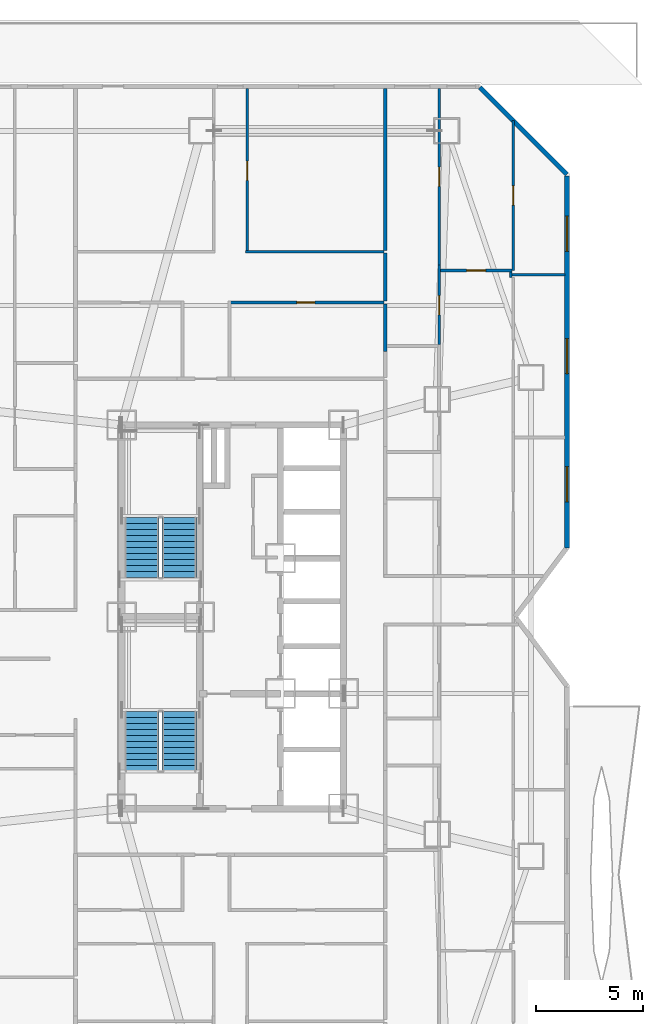
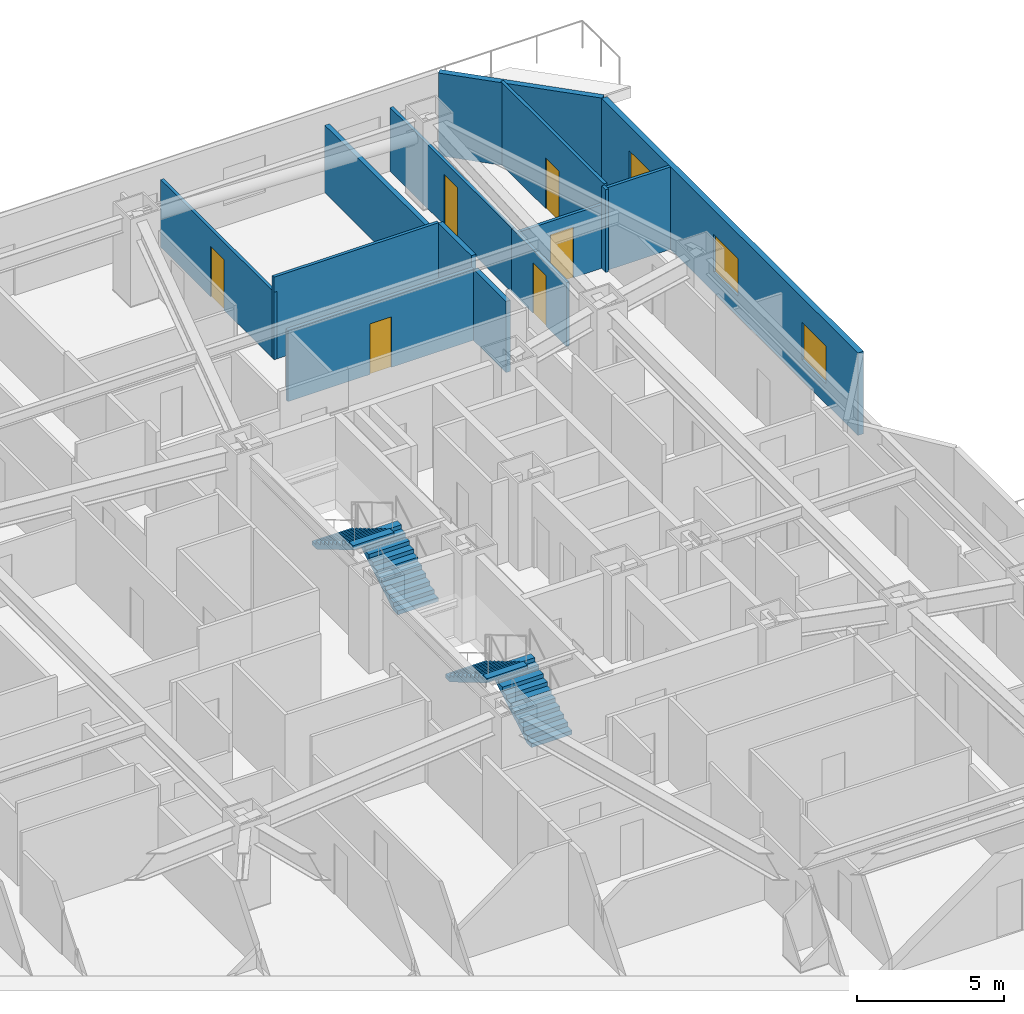
# One storey, part 15 of 18: 14 walls, 6 doors, 4 stair flights, 3 windows, 9 openings, 2 elements without a shape of their own.
"""IFC4 building model written with IfcOpenShell, lengths in metres."""

from ifc_helpers import new_model, si_unit, direction, frame, frame_2d, origin, place, context, subcontext, project, spatial, polyline, rectangle, outline, extrude, material, layer, layer_set, type_object, element, fill, aggregate, save


model = new_model("IFC4")

# Units and contexts
model_context = context("Model", 3, precision=1e-05, world=origin(), true_north=direction((0.0, 1.0)))
body_context = subcontext(model_context, "Body", "Model", "MODEL_VIEW")
ifc_project = project(units=[si_unit("LENGTHUNIT", "METRE"), si_unit("AREAUNIT", "SQUARE_METRE"), si_unit("VOLUMEUNIT", "CUBIC_METRE"), si_unit("PLANEANGLEUNIT", "RADIAN"), si_unit("MASSUNIT", "GRAM", prefix="KILO")], contexts=[model_context])

# Site, building, storey
site_placement = place(None, origin())
site = spatial("IfcSite", under=ifc_project, at=site_placement, CompositionType="ELEMENT")
building_placement = place(site_placement, origin())
building = spatial("IfcBuilding", under=site, at=building_placement, Name="Khamvora Tower", CompositionType="ELEMENT")
storey_placement = place(building_placement, frame((0.0, 0.0, 33.300048828125)))
storey = spatial("IfcBuildingStorey", under=building, at=storey_placement, Name="L07", CompositionType="ELEMENT", Elevation=33.300048828125)

# Walls
ifc_material_1 = material(Name="Acoustic Double-Stud Fire Wall", Category="gypsum")
ifc_layer_1 = layer(ifc_material_1, 0.179931640625)
ifc_layer_set_1 = layer_set([ifc_layer_1], Name="Acoustic Double-Stud Fire Wall")
wall_type_1 = type_object("IfcWallType", Name="WAL-CORR-180", PredefinedType="STANDARD", material=ifc_layer_set_1)
wall_1_placement = place(storey_placement, frame((41.364990234375, 45.06005859375, 0.0), z_axis=(0.0, 0.0, 1.0), x_axis=(0.0, -1.0, 0.0)))
element("IfcWall", 1, at=wall_1_placement, inside=storey, type_object=wall_type_1, Name="L07 interior partition wall 130", PredefinedType="STANDARD", context=body_context, shape_type="SweptSolid", body=[
    extrude(rectangle(XDim=2.25, YDim=0.179931640625, at=frame_2d((1.125, 0.0))), origin(), (0.0, 0.0, 1.0), 3.429931640625),
])
wall_2_placement = place(storey_placement, frame((41.364990234375, 42.679931640625, 0.0), z_axis=(0.0, 0.0, 1.0), x_axis=(0.0, -1.0, 0.0)))
element("IfcWall", 2, at=wall_2_placement, inside=storey, type_object=wall_type_1, Name="L07 interior partition wall 131", PredefinedType="STANDARD", context=body_context, shape_type="SweptSolid", body=[
    extrude(rectangle(XDim=2.222900390625, YDim=0.179931640625, at=frame_2d((1.111328125, 0.0))), origin(), (0.0, 0.0, 1.0), 2.95703125),
])
wall_3_placement = place(storey_placement, frame((41.364990234375, 52.7880859375, 0.0), z_axis=(0.0, 0.0, 1.0), x_axis=(0.0, -1.0, 0.0)))
element("IfcWall", 3, at=wall_3_placement, inside=storey, type_object=wall_type_1, Name="L07 interior partition wall 133", PredefinedType="STANDARD", context=body_context, shape_type="SweptSolid", body=[
    extrude(rectangle(XDim=7.59814453125, YDim=0.179931640625, at=frame_2d((3.799072265625, 0.0))), origin(), (0.0, 0.0, 1.0), 2.802978515625),
])
ifc_material_2 = material(Name="Precast concrete C40/50", Category="concrete")
ifc_layer_2 = layer(ifc_material_2, 0.219970703125)
ifc_layer_set_2 = layer_set([ifc_layer_2], Name="Precast concrete C40/50")
wall_type_2 = type_object("IfcWallType", Name="WAL-EXT-220", PredefinedType="STANDARD", material=ifc_layer_set_2)
wall_4_placement = place(storey_placement, frame((45.802001953125, 52.842041015625, 0.0), z_axis=(0.0, 0.0, 1.0), x_axis=(0.707085666273, -0.70712789547, 0.0)))
element("IfcWall", 4, at=wall_4_placement, inside=storey, type_object=wall_type_2, Name="L07 exterior facade wall 08.1", PredefinedType="STANDARD", context=body_context, shape_type="SweptSolid", body=[
    extrude(rectangle(XDim=5.78125, YDim=0.219970703125, at=frame_2d((2.890625, 0.0))), origin(), (0.0, 0.0, 1.0), 3.429931640625),
])

# Wall, openings, windows
wall_5_placement = place(storey_placement, frame((49.889892578125, 48.68310546875, 0.0), z_axis=(0.0, 0.0, 1.0), x_axis=(0.0, -1.0, 0.0)))
wall_5 = element("IfcWall", 5, at=wall_5_placement, inside=storey, type_object=wall_type_2, Name="L07 exterior facade wall 09.1", PredefinedType="STANDARD", context=body_context, shape_type="SweptSolid", body=[
    extrude(rectangle(XDim=17.446044921875, YDim=0.219970703125, at=frame_2d((8.72314453125, 0.0))), origin(), (0.0, 0.0, 1.0), 3.429931640625),
])
opening_1_placement = place(wall_5_placement, frame((13.639892578125, 0.0, 0.85009765625)))
opening_1 = element("IfcOpeningElement", 6, at=opening_1_placement, cuts=wall_5, Name="Opening WN-06", PredefinedType="OPENING", context=body_context, shape_type="SweptSolid", body=[
    extrude(rectangle(XDim=1.64990234375, YDim=1.550048828125, at=frame_2d((0.824951171875, 0.77490234375))), frame((0.0, 0.119873046875, 0.0), z_axis=(0.0, -1.0, 0.0), x_axis=(1.0, 0.0, 0.0)), (0.0, 0.0, 1.0), 0.239990234375),
])
opening_2_placement = place(wall_5_placement, frame((7.6259765625, 0.0, 0.85009765625)))
opening_2 = element("IfcOpeningElement", 7, at=opening_2_placement, cuts=wall_5, Name="Opening WN-06", PredefinedType="OPENING", context=body_context, shape_type="SweptSolid", body=[
    extrude(rectangle(XDim=1.64990234375, YDim=1.550048828125, at=frame_2d((0.824951171875, 0.77490234375))), frame((0.0, 0.119873046875, 0.0), z_axis=(0.0, -1.0, 0.0), x_axis=(1.0, 0.0, 0.0)), (0.0, 0.0, 1.0), 0.239990234375),
])
opening_3_placement = place(wall_5_placement, frame((1.884033203125, 0.0, 0.85009765625)))
opening_3 = element("IfcOpeningElement", 8, at=opening_3_placement, cuts=wall_5, Name="Opening WN-06", PredefinedType="OPENING", context=body_context, shape_type="SweptSolid", body=[
    extrude(rectangle(XDim=1.64990234375, YDim=1.550048828125, at=frame_2d((0.824951171875, 0.77490234375))), frame((0.0, 0.119873046875, 0.0), z_axis=(0.0, -1.0, 0.0), x_axis=(1.0, 0.0, 0.0)), (0.0, 0.0, 1.0), 0.239990234375),
])
ifc_material_3 = material(Name="Low-E Laminated Double Glazing", Category="glass")
window_type = type_object("IfcWindowType", Name="WIN-VIS-1650x1550", PartitioningType="SINGLE_PANEL", PredefinedType="WINDOW", material=ifc_material_3)
window_1_placement = place(opening_1_placement, origin())
window_1 = element("IfcWindow", 9, at=window_1_placement, inside=storey, type_object=window_type, Name="L07 vision window 09.1.01", OverallHeight=1.550048828125, OverallWidth=1.64990234375, PartitioningType="SINGLE_PANEL", PredefinedType="WINDOW", context=body_context, shape_type="SweptSolid", body=[
    extrude(rectangle(XDim=1.64990234375, YDim=1.550048828125, at=frame_2d((0.824951171875, 0.77490234375))), frame((0.0, 0.030029296875, 0.0), z_axis=(0.0, -1.0, 0.0), x_axis=(1.0, 0.0, 0.0)), (0.0, 0.0, 1.0), 0.06005859375),
])
fill(opening_1, window_1)
window_2_placement = place(opening_2_placement, origin())
window_2 = element("IfcWindow", 10, at=window_2_placement, inside=storey, type_object=window_type, Name="L07 vision window 09.1.02", OverallHeight=1.550048828125, OverallWidth=1.64990234375, PartitioningType="SINGLE_PANEL", PredefinedType="WINDOW", context=body_context, shape_type="SweptSolid", body=[
    extrude(rectangle(XDim=1.64990234375, YDim=1.550048828125, at=frame_2d((0.824951171875, 0.77490234375))), frame((0.0, 0.030029296875, 0.0), z_axis=(0.0, -1.0, 0.0), x_axis=(1.0, 0.0, 0.0)), (0.0, 0.0, 1.0), 0.06005859375),
])
fill(opening_2, window_2)
window_3_placement = place(opening_3_placement, origin())
window_3 = element("IfcWindow", 11, at=window_3_placement, inside=storey, type_object=window_type, Name="L07 vision window 09.1.03", OverallHeight=1.550048828125, OverallWidth=1.64990234375, PartitioningType="SINGLE_PANEL", PredefinedType="WINDOW", context=body_context, shape_type="SweptSolid", body=[
    extrude(rectangle(XDim=1.64990234375, YDim=1.550048828125, at=frame_2d((0.824951171875, 0.77490234375))), frame((0.0, 0.030029296875, 0.0), z_axis=(0.0, -1.0, 0.0), x_axis=(1.0, 0.0, 0.0)), (0.0, 0.0, 1.0), 0.06005859375),
])
fill(opening_3, window_3)

# Wall, opening, door
ifc_material_4 = material(Name="Gypsum Plasterboard Partition", Category="gypsum")
ifc_layer_3 = layer(ifc_material_4, 0.1201171875)
ifc_layer_set_3 = layer_set([ifc_layer_3], Name="Gypsum Plasterboard Partition")
wall_type_3 = type_object("IfcWallType", Name="WAL-PART-120", PredefinedType="PARTITIONING", material=ifc_layer_set_3)
wall_6_placement = place(storey_placement, frame((34.885009765625, 52.7880859375, 0.0), z_axis=(0.0, 0.0, 1.0), x_axis=(0.0, -1.0, 0.0)))
wall_6 = element("IfcWall", 12, at=wall_6_placement, inside=storey, type_object=wall_type_3, Name="L07 interior partition wall 128", PredefinedType="PARTITIONING", context=body_context, shape_type="SweptSolid", body=[
    extrude(rectangle(XDim=7.72802734375, YDim=0.1201171875, at=frame_2d((3.864013671875, 0.0))), origin(), (0.0, 0.0, 1.0), 2.802978515625),
])
opening_4_placement = place(wall_6_placement, frame((3.4140625, 0.0, 0.0)))
opening_4 = element("IfcOpeningElement", 13, at=opening_4_placement, cuts=wall_6, Name="Opening D-RM1", PredefinedType="OPENING", context=body_context, shape_type="SweptSolid", body=[
    extrude(rectangle(XDim=0.89990234375, YDim=2.10009765625, at=frame_2d((0.449951171875, 1.050048828125))), frame((0.0, 0.070068359375, 0.0), z_axis=(0.0, -1.0, 0.0), x_axis=(1.0, 0.0, 0.0)), (0.0, 0.0, 1.0), 0.14013671875),
])
ifc_material_5 = material(Name="Powder-Coated Steel and Hardwood Leaf", Category="steel")
door_type_1 = type_object("IfcDoorType", Name="DOR-ROOM-900", OperationType="NOTDEFINED", PredefinedType="DOOR", material=ifc_material_5)
door_1_placement = place(opening_4_placement, origin())
door_1 = element("IfcDoor", 14, at=door_1_placement, inside=storey, type_object=door_type_1, Name="L07 interior door 07NAH-07NAR2", OperationType="SINGLE_SWING_RIGHT", OverallHeight=2.10009765625, OverallWidth=0.89990234375, PredefinedType="DOOR", context=body_context, shape_type="SweptSolid", body=[
    extrude(rectangle(XDim=0.89990234375, YDim=2.10009765625, at=frame_2d((0.449951171875, 1.050048828125))), frame((0.0, 0.02490234375, 0.0), z_axis=(0.0, -1.0, 0.0), x_axis=(1.0, 0.0, 0.0)), (0.0, 0.0, 1.0), 0.050048828125),
])
fill(opening_4, door_1)

# Wall
wall_7_placement = place(storey_placement, frame((34.820068359375, 45.125, 0.0), z_axis=(0.0, 0.0, 1.0), x_axis=(1.0, 0.0, 0.0)))
element("IfcWall", 15, at=wall_7_placement, inside=storey, type_object=wall_type_3, Name="L07 interior partition wall 129", PredefinedType="PARTITIONING", context=body_context, shape_type="SweptSolid", body=[
    extrude(rectangle(XDim=6.47998046875, YDim=0.1201171875, at=frame_2d((3.239990234375, 0.0))), origin(), (0.0, 0.0, 1.0), 3.429931640625),
])

# Wall, opening, door
wall_8_placement = place(storey_placement, frame((43.89501953125, 44.498046875, 0.0), z_axis=(0.0, 0.0, 1.0), x_axis=(0.0, -1.0, 0.0)))
wall_8 = element("IfcWall", 16, at=wall_8_placement, inside=storey, type_object=wall_type_3, Name="L07 interior partition wall 149", PredefinedType="PARTITIONING", context=body_context, shape_type="SweptSolid", body=[
    extrude(rectangle(XDim=3.72705078125, YDim=0.1201171875, at=frame_2d((1.863525390625, 0.0))), origin(), (0.0, 0.0, 1.0), 2.64697265625),
])
opening_5_placement = place(wall_8_placement, frame((1.43408203125, 0.0, 0.0)))
opening_5 = element("IfcOpeningElement", 17, at=opening_5_placement, cuts=wall_8, Name="Opening D-RM1", PredefinedType="OPENING", context=body_context, shape_type="SweptSolid", body=[
    extrude(rectangle(XDim=0.89990234375, YDim=2.10009765625, at=frame_2d((0.449951171875, 1.050048828125))), frame((0.0, 0.070068359375, 0.0), z_axis=(0.0, -1.0, 0.0), x_axis=(1.0, 0.0, 0.0)), (0.0, 0.0, 1.0), 0.14013671875),
])
door_2_placement = place(opening_5_placement, origin())
door_2 = element("IfcDoor", 18, at=door_2_placement, inside=storey, type_object=door_type_1, Name="L07 interior door 07EBW2-07EBH", OperationType="SINGLE_SWING_LEFT", OverallHeight=2.10009765625, OverallWidth=0.89990234375, PredefinedType="DOOR", context=body_context, shape_type="SweptSolid", body=[
    extrude(rectangle(XDim=0.89990234375, YDim=2.10009765625, at=frame_2d((0.449951171875, 1.050048828125))), frame((0.0, 0.02490234375, 0.0), z_axis=(0.0, -1.0, 0.0), x_axis=(1.0, 0.0, 0.0)), (0.0, 0.0, 1.0), 0.050048828125),
])
fill(opening_5, door_2)

wall_9_placement = place(storey_placement, frame((43.89501953125, 52.7880859375, 0.0), z_axis=(0.0, 0.0, 1.0), x_axis=(0.0, -1.0, 0.0)))
wall_9 = element("IfcWall", 19, at=wall_9_placement, inside=storey, type_object=wall_type_3, Name="L07 interior partition wall 150", PredefinedType="PARTITIONING", context=body_context, shape_type="SweptSolid", body=[
    extrude(rectangle(XDim=8.2900390625, YDim=0.1201171875, at=frame_2d((4.14501953125, 0.0))), origin(), (0.0, 0.0, 1.0), 2.64697265625),
])
opening_6_placement = place(wall_9_placement, frame((3.695068359375, 0.0, 0.0)))
opening_6 = element("IfcOpeningElement", 20, at=opening_6_placement, cuts=wall_9, Name="Opening D-RM1", PredefinedType="OPENING", context=body_context, shape_type="SweptSolid", body=[
    extrude(rectangle(XDim=0.89990234375, YDim=2.10009765625, at=frame_2d((0.449951171875, 1.050048828125))), frame((0.0, 0.070068359375, 0.0), z_axis=(0.0, -1.0, 0.0), x_axis=(1.0, 0.0, 0.0)), (0.0, 0.0, 1.0), 0.14013671875),
])
door_3_placement = place(opening_6_placement, origin())
door_3 = element("IfcDoor", 21, at=door_3_placement, inside=storey, type_object=door_type_1, Name="L07 interior door 07EBW2-07EBD", OperationType="SINGLE_SWING_RIGHT", OverallHeight=2.10009765625, OverallWidth=0.89990234375, PredefinedType="DOOR", context=body_context, shape_type="SweptSolid", body=[
    extrude(rectangle(XDim=0.89990234375, YDim=2.10009765625, at=frame_2d((0.449951171875, 1.050048828125))), frame((0.0, 0.02490234375, 0.0), z_axis=(0.0, -1.0, 0.0), x_axis=(1.0, 0.0, 0.0)), (0.0, 0.0, 1.0), 0.050048828125),
])
fill(opening_6, door_3)

wall_10_placement = place(storey_placement, frame((43.948974609375, 44.2490234375, 0.0), z_axis=(0.0, 0.0, 1.0), x_axis=(1.0, 0.0, 0.0)))
wall_10 = element("IfcWall", 22, at=wall_10_placement, inside=storey, type_object=wall_type_3, Name="L07 interior partition wall 152", PredefinedType="PARTITIONING", context=body_context, shape_type="SweptSolid", body=[
    extrude(rectangle(XDim=3.361083984375, YDim=0.1201171875, at=frame_2d((1.6806640625, 0.0))), origin(), (0.0, 0.0, 1.0), 2.64697265625),
])
opening_7_placement = place(wall_10_placement, frame((1.23095703125, 0.0, 0.0)))
opening_7 = element("IfcOpeningElement", 23, at=opening_7_placement, cuts=wall_10, Name="Opening D-RM1", PredefinedType="OPENING", context=body_context, shape_type="SweptSolid", body=[
    extrude(rectangle(XDim=0.89990234375, YDim=2.10009765625, at=frame_2d((0.449951171875, 1.050048828125))), frame((0.0, 0.070068359375, 0.0), z_axis=(0.0, -1.0, 0.0), x_axis=(1.0, 0.0, 0.0)), (0.0, 0.0, 1.0), 0.14013671875),
])
door_4_placement = place(opening_7_placement, origin())
door_4 = element("IfcDoor", 24, at=door_4_placement, inside=storey, type_object=door_type_1, Name="L07 interior door 07EBH-07EBD", OperationType="SINGLE_SWING_LEFT", OverallHeight=2.10009765625, OverallWidth=0.89990234375, PredefinedType="DOOR", context=body_context, shape_type="SweptSolid", body=[
    extrude(rectangle(XDim=0.89990234375, YDim=2.10009765625, at=frame_2d((0.449951171875, 1.050048828125))), frame((0.0, 0.02490234375, 0.0), z_axis=(0.0, -1.0, 0.0), x_axis=(1.0, 0.0, 0.0)), (0.0, 0.0, 1.0), 0.050048828125),
])
fill(opening_7, door_4)

# Wall
wall_11_placement = place(storey_placement, frame((47.2451171875, 44.18408203125, 0.0), z_axis=(0.0, 0.0, 1.0), x_axis=(0.0, -1.0, 0.0)))
element("IfcWall", 25, at=wall_11_placement, inside=storey, type_object=wall_type_3, Name="L07 interior partition wall 153", PredefinedType="PARTITIONING", context=body_context, shape_type="SweptSolid", body=[
    extrude(rectangle(XDim=0.275146484375, YDim=0.1201171875, at=frame_2d((0.1376953125, 0.0))), origin(), (0.0, 0.0, 1.0), 3.429931640625),
])

# Wall, opening, door
wall_12_placement = place(storey_placement, frame((47.375, 51.278076171875, 0.0), z_axis=(0.0, 0.0, 1.0), x_axis=(0.0, -1.0, 0.0)))
wall_12 = element("IfcWall", 26, at=wall_12_placement, inside=storey, type_object=wall_type_3, Name="L07 interior partition wall 160", PredefinedType="PARTITIONING", context=body_context, shape_type="SweptSolid", body=[
    extrude(rectangle(XDim=7.029052734375, YDim=0.1201171875, at=frame_2d((3.5146484375, 0.0))), origin(), (0.0, 0.0, 1.0), 3.429931640625),
])
opening_8_placement = place(wall_12_placement, frame((3.06396484375, 0.0, 0.0)))
opening_8 = element("IfcOpeningElement", 27, at=opening_8_placement, cuts=wall_12, Name="Opening D-RM1", PredefinedType="OPENING", context=body_context, shape_type="SweptSolid", body=[
    extrude(rectangle(XDim=0.89990234375, YDim=2.10009765625, at=frame_2d((0.449951171875, 1.050048828125))), frame((0.0, 0.070068359375, 0.0), z_axis=(0.0, -1.0, 0.0), x_axis=(1.0, 0.0, 0.0)), (0.0, 0.0, 1.0), 0.14013671875),
])
door_5_placement = place(opening_8_placement, origin())
door_5 = element("IfcDoor", 28, at=door_5_placement, inside=storey, type_object=door_type_1, Name="L07 interior door 07EBD-07EBR3", OperationType="SINGLE_SWING_RIGHT", OverallHeight=2.10009765625, OverallWidth=0.89990234375, PredefinedType="DOOR", context=body_context, shape_type="SweptSolid", body=[
    extrude(rectangle(XDim=0.89990234375, YDim=2.10009765625, at=frame_2d((0.449951171875, 1.050048828125))), frame((0.0, 0.02490234375, 0.0), z_axis=(0.0, -1.0, 0.0), x_axis=(1.0, 0.0, 0.0)), (0.0, 0.0, 1.0), 0.050048828125),
])
fill(opening_8, door_5)

# Wall
wall_13_placement = place(storey_placement, frame((47.299072265625, 44.050048828125, 0.0), z_axis=(0.0, 0.0, 1.0), x_axis=(1.0, 0.0, 0.0)))
element("IfcWall", 29, at=wall_13_placement, inside=storey, type_object=wall_type_3, Name="L07 interior partition wall 162", PredefinedType="PARTITIONING", context=body_context, shape_type="SweptSolid", body=[
    extrude(rectangle(XDim=2.489013671875, YDim=0.1201171875, at=frame_2d((1.24462890625, 0.0))), origin(), (0.0, 0.0, 1.0), 3.429931640625),
])

# Wall, opening, door
ifc_material_6 = material(Name="Moisture-Resistant Plasterboard Partition", Category="gypsum")
ifc_layer_4 = layer(ifc_material_6, 0.135009765625)
ifc_layer_set_4 = layer_set([ifc_layer_4], Name="Moisture-Resistant Plasterboard Partition")
wall_type_4 = type_object("IfcWallType", Name="WAL-WET-135", PredefinedType="PARTITIONING", material=ifc_layer_set_4)
wall_14_placement = place(storey_placement, frame((41.300048828125, 42.7451171875, 0.0), z_axis=(0.0, 0.0, 1.0), x_axis=(-1.0, 0.0, 0.0)))
wall_14 = element("IfcWall", 30, at=wall_14_placement, inside=storey, type_object=wall_type_4, Name="L07 interior partition wall 124", PredefinedType="PARTITIONING", context=body_context, shape_type="SweptSolid", body=[
    extrude(rectangle(XDim=7.31494140625, YDim=0.135009765625, at=frame_2d((3.657470703125, 0.0))), origin(), (0.0, 0.0, 1.0), 2.95703125),
])
opening_9_placement = place(wall_14_placement, frame((3.23291015625, 0.0, 0.0)))
opening_9 = element("IfcOpeningElement", 31, at=opening_9_placement, cuts=wall_14, Name="Opening D-RM2", PredefinedType="OPENING", context=body_context, shape_type="SweptSolid", body=[
    extrude(rectangle(XDim=0.85009765625, YDim=2.10009765625, at=frame_2d((0.425048828125, 1.050048828125))), frame((0.0, 0.077392578125, 0.0), z_axis=(0.0, -1.0, 0.0), x_axis=(1.0, 0.0, 0.0)), (0.0, 0.0, 1.0), 0.155029296875),
])
door_type_2 = type_object("IfcDoorType", Name="DOR-ROOM-850", OperationType="NOTDEFINED", PredefinedType="DOOR", material=ifc_material_5)
door_6_placement = place(opening_9_placement, origin())
door_6 = element("IfcDoor", 32, at=door_6_placement, inside=storey, type_object=door_type_2, Name="L07 interior door 07NAH-07NAK", OperationType="SINGLE_SWING_RIGHT", OverallHeight=2.10009765625, OverallWidth=0.85009765625, PredefinedType="DOOR", context=body_context, shape_type="SweptSolid", body=[
    extrude(rectangle(XDim=0.85009765625, YDim=2.10009765625, at=frame_2d((0.425048828125, 1.050048828125))), frame((0.0, 0.02490234375, 0.0), z_axis=(0.0, -1.0, 0.0), x_axis=(1.0, 0.0, 0.0)), (0.0, 0.0, 1.0), 0.050048828125),
])
fill(opening_9, door_6)

# Stair, stair flights
ifc_material_7 = material(Name="Concrete C40/50", Category="concrete")
stair_type_1 = type_object("IfcStairType", Name="STR-ST-01", PredefinedType="HALF_TURN_STAIR", material=ifc_material_7)
stair_1_placement = place(storey_placement, origin())
stair_1 = element("IfcStair", 33, at=stair_1_placement, inside=storey, type_object=stair_type_1, Name="L07 South Tower Exit Stair ST-01", PredefinedType="HALF_TURN_STAIR")
stair_flight_type_1 = type_object("IfcStairFlightType", Name="STF-ST-01", PredefinedType="STRAIGHT", material=ifc_material_7)
stair_flight_1_placement = place(storey_placement, frame((31.699951171875, 20.75, 0.0), z_axis=(0.0, 0.0, 1.0), x_axis=(0.0, 1.0, 0.0)))
stair_flight_1 = element("IfcStairFlight", 34, at=stair_flight_1_placement, type_object=stair_flight_type_1, Name="ST-01 flight 1", NumberOfRisers=11, NumberOfTreads=10, PredefinedType="STRAIGHT", RiserHeight=0.165909091, TreadLength=0.28, context=body_context, shape_type="SweptSolid", body=[
    extrude(outline(polyline([(0.0, 0.0), (0.0, 0.166015625), (0.280029296875, 0.166015625), (0.280029296875, 0.331787109375), (0.56005859375, 0.331787109375), (0.56005859375, 0.497802734375), (0.840087890625, 0.497802734375), (0.840087890625, 0.66357421875), (1.1201171875, 0.66357421875), (1.1201171875, 0.82958984375), (1.39990234375, 0.82958984375), (1.39990234375, 0.995361328125), (1.679931640625, 0.995361328125), (1.679931640625, 1.161376953125), (1.9599609375, 1.161376953125), (1.9599609375, 1.327392578125), (2.239990234375, 1.327392578125), (2.239990234375, 1.4931640625), (2.52001953125, 1.4931640625), (2.52001953125, 1.6591796875), (2.800048828125, 1.6591796875), (2.800048828125, 1.824951171875), (2.800048828125, 1.48486328125), (0.2939453125, 0.0), (0.0, 0.0)])), frame((0.0, 0.800048828125, 0.0), z_axis=(0.0, -1.0, 0.0), x_axis=(1.0, 0.0, 0.0)), (0.0, 0.0, 1.0), 1.60009765625),
])
stair_flight_2_placement = place(storey_placement, frame((29.949951171875, 23.550048828125, 1.824951171875), z_axis=(0.0, 0.0, 1.0), x_axis=(0.0, -1.0, 0.0)))
stair_flight_2 = element("IfcStairFlight", 35, at=stair_flight_2_placement, type_object=stair_flight_type_1, Name="ST-01 flight 2", NumberOfRisers=11, NumberOfTreads=10, PredefinedType="STRAIGHT", RiserHeight=0.165909091, TreadLength=0.28, context=body_context, shape_type="SweptSolid", body=[
    extrude(outline(polyline([(0.0, 0.0), (0.0, 0.166015625), (0.280029296875, 0.166015625), (0.280029296875, 0.331787109375), (0.56005859375, 0.331787109375), (0.56005859375, 0.497802734375), (0.840087890625, 0.497802734375), (0.840087890625, 0.66357421875), (1.1201171875, 0.66357421875), (1.1201171875, 0.82958984375), (1.39990234375, 0.82958984375), (1.39990234375, 0.995361328125), (1.679931640625, 0.995361328125), (1.679931640625, 1.161376953125), (1.9599609375, 1.161376953125), (1.9599609375, 1.327392578125), (2.239990234375, 1.327392578125), (2.239990234375, 1.4931640625), (2.52001953125, 1.4931640625), (2.52001953125, 1.6591796875), (2.800048828125, 1.6591796875), (2.800048828125, 1.824951171875), (2.800048828125, 1.48486328125), (0.2939453125, 0.0), (0.0, 0.0)])), frame((0.0, 0.800048828125, 0.0), z_axis=(0.0, -1.0, 0.0), x_axis=(1.0, 0.0, 0.0)), (0.0, 0.0, 1.0), 1.60009765625),
])
aggregate(stair_1, [stair_flight_1, stair_flight_2])

stair_type_2 = type_object("IfcStairType", Name="STR-ST-02", PredefinedType="HALF_TURN_STAIR", material=ifc_material_7)
stair_2_placement = place(storey_placement, origin())
stair_2 = element("IfcStair", 36, at=stair_2_placement, inside=storey, type_object=stair_type_2, Name="L07 North Tower Exit Stair ST-02", PredefinedType="HALF_TURN_STAIR")
stair_flight_type_2 = type_object("IfcStairFlightType", Name="STF-ST-02", PredefinedType="STRAIGHT", material=ifc_material_7)
stair_flight_3_placement = place(storey_placement, frame((31.699951171875, 29.85009765625, 0.0), z_axis=(0.0, 0.0, 1.0), x_axis=(0.0, 1.0, 0.0)))
stair_flight_3 = element("IfcStairFlight", 37, at=stair_flight_3_placement, type_object=stair_flight_type_2, Name="ST-02 flight 1", NumberOfRisers=11, NumberOfTreads=10, PredefinedType="STRAIGHT", RiserHeight=0.165909091, TreadLength=0.28, context=body_context, shape_type="SweptSolid", body=[
    extrude(outline(polyline([(0.0, 0.0), (0.0, 0.166015625), (0.280029296875, 0.166015625), (0.280029296875, 0.331787109375), (0.56005859375, 0.331787109375), (0.56005859375, 0.497802734375), (0.840087890625, 0.497802734375), (0.840087890625, 0.66357421875), (1.1201171875, 0.66357421875), (1.1201171875, 0.82958984375), (1.39990234375, 0.82958984375), (1.39990234375, 0.995361328125), (1.679931640625, 0.995361328125), (1.679931640625, 1.161376953125), (1.9599609375, 1.161376953125), (1.9599609375, 1.327392578125), (2.239990234375, 1.327392578125), (2.239990234375, 1.4931640625), (2.52001953125, 1.4931640625), (2.52001953125, 1.6591796875), (2.800048828125, 1.6591796875), (2.800048828125, 1.824951171875), (2.800048828125, 1.48486328125), (0.2939453125, 0.0), (0.0, 0.0)])), frame((0.0, 0.800048828125, 0.0), z_axis=(0.0, -1.0, 0.0), x_axis=(1.0, 0.0, 0.0)), (0.0, 0.0, 1.0), 1.60009765625),
])
stair_flight_4_placement = place(storey_placement, frame((29.949951171875, 32.64990234375, 1.824951171875), z_axis=(0.0, 0.0, 1.0), x_axis=(0.0, -1.0, 0.0)))
stair_flight_4 = element("IfcStairFlight", 38, at=stair_flight_4_placement, type_object=stair_flight_type_2, Name="ST-02 flight 2", NumberOfRisers=11, NumberOfTreads=10, PredefinedType="STRAIGHT", RiserHeight=0.165909091, TreadLength=0.28, context=body_context, shape_type="SweptSolid", body=[
    extrude(outline(polyline([(0.0, 0.0), (0.0, 0.166015625), (0.280029296875, 0.166015625), (0.280029296875, 0.331787109375), (0.56005859375, 0.331787109375), (0.56005859375, 0.497802734375), (0.840087890625, 0.497802734375), (0.840087890625, 0.66357421875), (1.1201171875, 0.66357421875), (1.1201171875, 0.82958984375), (1.39990234375, 0.82958984375), (1.39990234375, 0.995361328125), (1.679931640625, 0.995361328125), (1.679931640625, 1.161376953125), (1.9599609375, 1.161376953125), (1.9599609375, 1.327392578125), (2.239990234375, 1.327392578125), (2.239990234375, 1.4931640625), (2.52001953125, 1.4931640625), (2.52001953125, 1.6591796875), (2.800048828125, 1.6591796875), (2.800048828125, 1.824951171875), (2.800048828125, 1.48486328125), (0.2939453125, 0.0), (0.0, 0.0)])), frame((0.0, 0.800048828125, 0.0), z_axis=(0.0, -1.0, 0.0), x_axis=(1.0, 0.0, 0.0)), (0.0, 0.0, 1.0), 1.60009765625),
])
aggregate(stair_2, [stair_flight_3, stair_flight_4])

save(model, "model.ifc")
